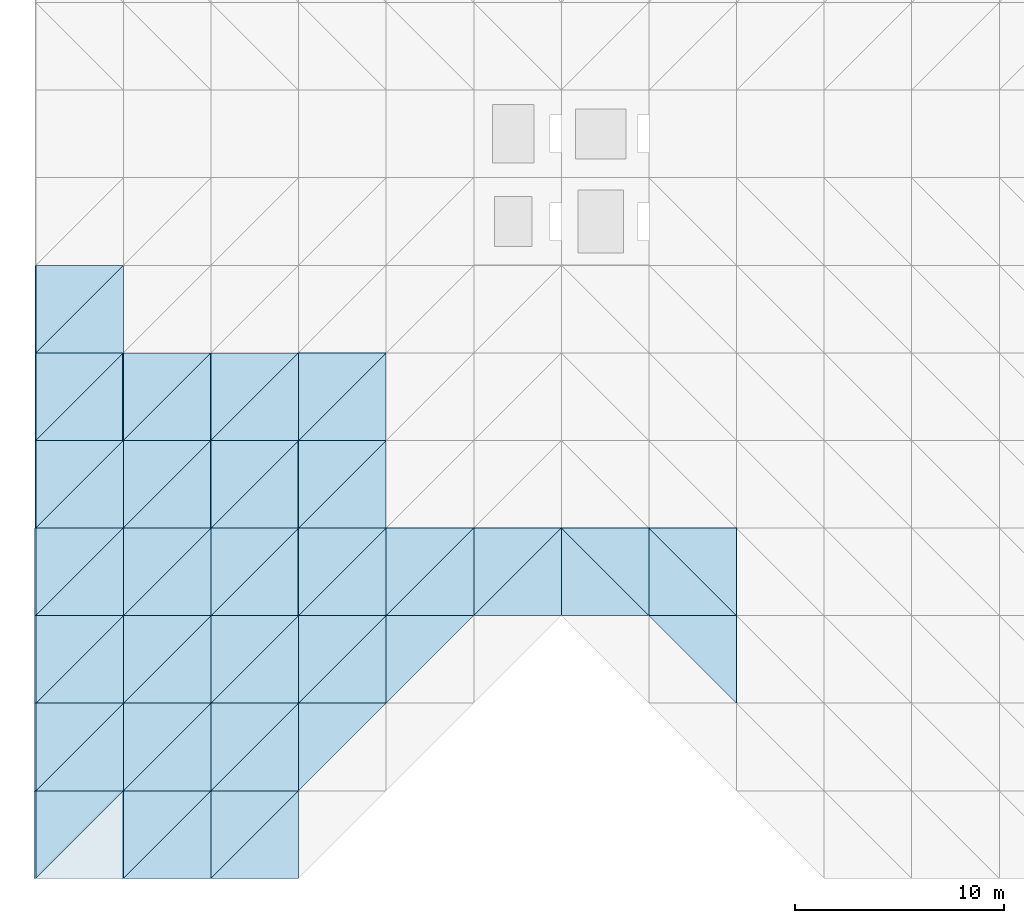
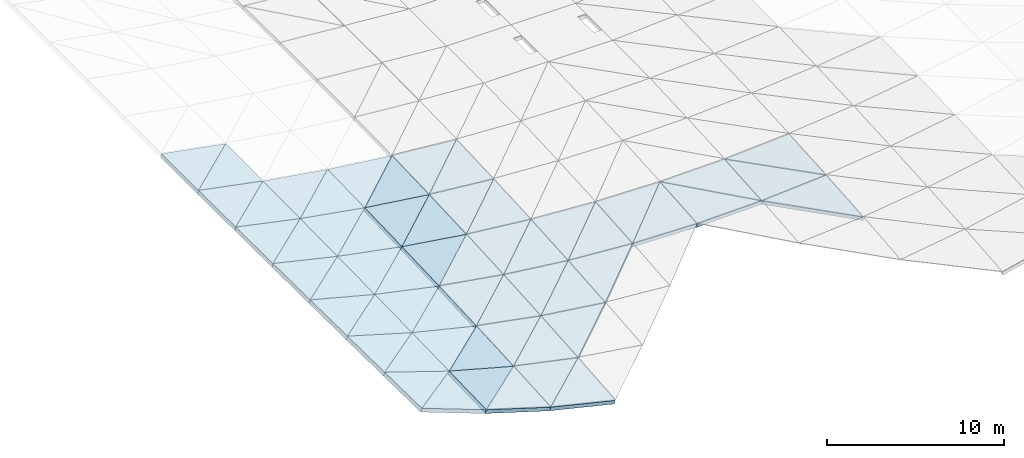
# One storey, part 5 of 31: 57 slabs.
"""IFC4 building model written with IfcOpenShell, lengths in metres."""

from ifc_helpers import new_model, si_unit, direction, frame, origin, place, context, subcontext, project, spatial, polyline, outline, extrude, material, layer, layer_set, type_object, element, save


model = new_model("IFC4")

# Units and contexts
model_context = context("Model", 3, precision=1e-05, world=origin(), true_north=direction((0.0, 1.0)))
body_context = subcontext(model_context, "Body", "Model", "MODEL_VIEW")
ifc_project = project(units=[si_unit("LENGTHUNIT", "METRE"), si_unit("AREAUNIT", "SQUARE_METRE"), si_unit("VOLUMEUNIT", "CUBIC_METRE"), si_unit("PLANEANGLEUNIT", "RADIAN"), si_unit("MASSUNIT", "GRAM", prefix="KILO")], contexts=[model_context])

# Site, building, storey
site_placement = place(None, origin())
site = spatial("IfcSite", under=ifc_project, at=site_placement, CompositionType="ELEMENT")
building_placement = place(site_placement, origin())
building = spatial("IfcBuilding", under=site, at=building_placement, Name="Cumbredor Promenade Congress Hotel", CompositionType="ELEMENT")
storey_placement = place(building_placement, frame((0.0, 0.0, 31.919921875)))
storey = spatial("IfcBuildingStorey", under=building, at=storey_placement, Name="L09", CompositionType="ELEMENT", Elevation=31.919921875)

# Slabs
ifc_material = material(Name="Concrete C40/50", Category="concrete")
ifc_layer = layer(ifc_material, 0.25, Name="Concrete C40/50", Category="concrete")
ifc_layer_set = layer_set([ifc_layer], Name="Concrete C40/50")
slab_type = type_object("IfcSlabType", Name="Catenary Space Frame Roof Deck 250mm", PredefinedType="ROOF", material=ifc_layer_set)
slab_1_placement = place(storey_placement, frame((8.39990234375, 0.0, 3.835693359375), z_axis=(0.351080162861, -0.025572178575, 0.935996144719), x_axis=(0.936302335835, 0.0, -0.351195011227)))
element("IfcSlab", 1, at=slab_1_placement, inside=storey, type_object=slab_type, Name="Plenary Congress Hall Sweeping Roof Deck Facet 4.1.1", PredefinedType="ROOF", context=body_context, shape_type="SweptSolid", body=[
    extrude(outline(polyline([(0.0, 0.0), (4.485939158482845, 0.0), (4.445640902800111, 4.201325096056481), (0.0, 0.0)])), origin(), (0.0, 0.0, -1.0), 0.25),
])
slab_2_placement = place(storey_placement, frame((8.39990234375, 0.0, 3.835693359375), z_axis=(0.314517383618, 0.015558508666, 0.949124200624), x_axis=(0.686669012327, 0.686629098992, -0.238801482257)))
element("IfcSlab", 2, at=slab_2_placement, inside=storey, type_object=slab_type, Name="Plenary Congress Hall Sweeping Roof Deck Facet 4.1.2", PredefinedType="ROOF", context=body_context, shape_type="SweptSolid", body=[
    extrude(outline(polyline([(0.0, 0.0), (6.116768395108922, 0.0), (2.9002496113164002, 3.038565786347956), (0.0, 0.0)])), origin(), (0.0, 0.0, -1.0), 0.25),
])
slab_3_placement = place(storey_placement, frame((8.39990234375, 4.199951171875, 3.766845703125), z_axis=(0.314474991938, -0.022617477915, 0.948996274565), x_axis=(0.949239097399, 0.0, -0.3145554577)))
element("IfcSlab", 3, at=slab_3_placement, inside=storey, type_object=slab_type, Name="Plenary Congress Hall Sweeping Roof Deck Facet 4.2.1", PredefinedType="ROOF", context=body_context, shape_type="SweptSolid", body=[
    extrude(outline(polyline([(0.0, 0.0), (4.424802269531883, -3.469446951953614e-18), (4.393316005455458, 4.201025827354009), (0.0, 0.0)])), origin(), (0.0, 0.0, -1.0), 0.25),
])
slab_4_placement = place(storey_placement, frame((8.39990234375, 4.199951171875, 3.766845703125), z_axis=(0.281318125125, 0.013776688355, 0.95951566706), x_axis=(0.690976351678, 0.690936187974, -0.212506154192)))
element("IfcSlab", 4, at=slab_4_placement, inside=storey, type_object=slab_type, Name="Plenary Congress Hall Sweeping Roof Deck Facet 4.2.2", PredefinedType="ROOF", context=body_context, shape_type="SweptSolid", body=[
    extrude(outline(polyline([(0.0, 0.0), (6.078638295365709, -8.326672684688674e-17), (2.9147129545431154, 3.024512300938092), (0.0, 0.0)])), origin(), (0.0, 0.0, -1.0), 0.25),
])
slab_5_placement = place(storey_placement, frame((8.39990234375, 8.39990234375, 3.70654296875), z_axis=(0.281290613489, -0.019630114185, 0.959421830782), x_axis=(0.95960673669, 0.0, -0.281344825614)))
element("IfcSlab", 5, at=slab_5_placement, inside=storey, type_object=slab_type, Name="Plenary Congress Hall Sweeping Roof Deck Facet 4.3.1", PredefinedType="ROOF", context=body_context, shape_type="SweptSolid", body=[
    extrude(outline(polyline([(0.0, 0.0), (4.3769964839859306, 0.0), (4.352818413034729, 4.201004800989675), (0.0, 0.0)])), origin(), (0.0, 0.0, -1.0), 0.25),
])
slab_6_placement = place(storey_placement, frame((8.39990234375, 8.39990234375, 3.70654296875), z_axis=(0.251982628759, 0.011924177968, 0.967658291332), x_axis=(0.694313843408, 0.694313843408, -0.189358320929)))
element("IfcSlab", 6, at=slab_6_placement, inside=storey, type_object=slab_type, Name="Plenary Congress Hall Sweeping Roof Deck Facet 4.3.2", PredefinedType="ROOF", context=body_context, shape_type="SweptSolid", body=[
    extrude(outline(polyline([(0.0, 0.0), (6.049418936955225, 1.6653345369377348e-16), (2.926054522954367, 3.013722691788356), (0.0, 0.0)])), origin(), (0.0, 0.0, -1.0), 0.25),
])
slab_7_placement = place(storey_placement, frame((8.39990234375, 12.60009765625, 3.65478515625), z_axis=(0.251966322063, -0.01648000532, 0.967595670707), x_axis=(0.96772709241, 0.0, -0.252000544873)))
element("IfcSlab", 7, at=slab_7_placement, inside=storey, type_object=slab_type, Name="Plenary Congress Hall Sweeping Roof Deck Facet 4.4.1", PredefinedType="ROOF", context=body_context, shape_type="SweptSolid", body=[
    extrude(outline(polyline([(0.0, 0.0), (4.340268393273275, 3.469446951953614e-18), (4.322241987109263, 4.2005216216518075), (0.0, 0.0)])), origin(), (0.0, 0.0, -1.0), 0.25),
])
slab_8_placement = place(storey_placement, frame((8.39990234375, 12.60009765625, 3.65478515625), z_axis=(0.226989154907, 0.010019804461, 0.973845740902), x_axis=(0.696882813328, 0.696842306306, -0.169602902779)))
element("IfcSlab", 8, at=slab_8_placement, inside=storey, type_object=slab_type, Name="Plenary Congress Hall Sweeping Roof Deck Facet 4.4.2", PredefinedType="ROOF", context=body_context, shape_type="SweptSolid", body=[
    extrude(outline(polyline([(0.0, 0.0), (6.027118522900852, -3.0531133177191805e-16), (2.934032692667439, 3.005479888205711), (0.0, 0.0)])), origin(), (0.0, 0.0, -1.0), 0.25),
])
slab_9_placement = place(storey_placement, frame((8.39990234375, 16.800048828125, 3.611572265625), z_axis=(0.226980464355, -0.01330262089, 0.973808456052), x_axis=(0.973894629926, 0.0, -0.227000550221)))
element("IfcSlab", 9, at=slab_9_placement, inside=storey, type_object=slab_type, Name="Plenary Congress Hall Sweeping Roof Deck Facet 4.5.1", PredefinedType="ROOF", context=body_context, shape_type="SweptSolid", body=[
    extrude(outline(polyline([(0.0, 0.0), (4.312782084872795, 0.0), (4.299758371664307, 4.200322832299461), (0.0, 0.0)])), origin(), (0.0, 0.0, -1.0), 0.25),
])
slab_10_placement = place(storey_placement, frame((8.39990234375, 16.800048828125, 3.611572265625), z_axis=(0.206717544951, 0.007962073888, 0.978368265015), x_axis=(0.698765886968, 0.69872527049, -0.153327204331)))
element("IfcSlab", 10, at=slab_10_placement, inside=storey, type_object=slab_type, Name="Plenary Congress Hall Sweeping Roof Deck Facet 4.5.2", PredefinedType="ROOF", context=body_context, shape_type="SweptSolid", body=[
    extrude(outline(polyline([(0.0, 0.0), (6.01087630468582, -4.718447854656915e-16), (2.9398526945434496, 2.9996706871850787), (0.0, 0.0)])), origin(), (0.0, 0.0, -1.0), 0.25),
])
slab_11_placement = place(storey_placement, frame((8.39990234375, 21.0, 3.577392578125), z_axis=(0.206713741995, -0.010009280174, 0.978350266102), x_axis=(0.978399278132, 0.0, -0.206724097652)))
element("IfcSlab", 11, at=slab_11_placement, inside=storey, type_object=slab_type, Name="Plenary Congress Hall Sweeping Roof Deck Facet 4.6.1", PredefinedType="ROOF", context=body_context, shape_type="SweptSolid", body=[
    extrude(outline(polyline([(0.0, 0.0), (4.292925604481084, 0.0), (4.284042928410085, 4.2001615751869075), (0.0, 0.0)])), origin(), (0.0, 0.0, -1.0), 0.25),
])
slab_12_placement = place(storey_placement, frame((8.39990234375, 21.0, 3.577392578125), z_axis=(0.191293718543, 0.006047811769, 0.981514206326), x_axis=(0.700087189504, 0.700046496224, -0.140758055597)))
element("IfcSlab", 12, at=slab_12_placement, inside=storey, type_object=slab_type, Name="Plenary Congress Hall Sweeping Roof Deck Facet 4.6.2", PredefinedType="ROOF", context=body_context, shape_type="SweptSolid", body=[
    extrude(outline(polyline([(0.0, 0.0), (5.999531737572276, 1.5265566588595902e-16), (2.9438037667097, 2.9957100906176923), (0.0, 0.0)])), origin(), (0.0, 0.0, -1.0), 0.25),
])
slab_13_placement = place(storey_placement, frame((8.39990234375, 25.199951171875, 3.551513671875), z_axis=(0.191292954794, -0.006675388226, 0.981510287587), x_axis=(0.981532156763, 0.0, -0.191297217021)))
element("IfcSlab", 13, at=slab_13_placement, inside=storey, type_object=slab_type, Name="Plenary Congress Hall Sweeping Roof Deck Facet 4.7.1", PredefinedType="ROOF", context=body_context, shape_type="SweptSolid", body=[
    extrude(outline(polyline([(0.0, 0.0), (4.279223338287052, 8.673617379884035e-19), (4.273759037898517, 4.200044751611318), (0.0, 0.0)])), origin(), (0.0, 0.0, -1.0), 0.25),
])
slab_14_placement = place(storey_placement, frame((8.39990234375, 25.199951171875, 3.551513671875), z_axis=(0.180931042037, 0.004059036563, 0.983487408282), x_axis=(0.700954209606, 0.700913465929, -0.131846536985)))
element("IfcSlab", 14, at=slab_14_placement, inside=storey, type_object=slab_type, Name="Plenary Congress Hall Sweeping Roof Deck Facet 4.7.2", PredefinedType="ROOF", context=body_context, shape_type="SweptSolid", body=[
    extrude(outline(polyline([(0.0, 0.0), (5.992110832549499, -2.636779683484747e-16), (2.946087758424882, 2.9934022838248047), (0.0, 0.0)])), origin(), (0.0, 0.0, -1.0), 0.25),
])
slab_15_placement = place(storey_placement, frame((12.60009765625, 0.0, 2.26025390625), z_axis=(0.292832493061, -0.060130786603, 0.954271145697), x_axis=(0.956001022742, 0.0, -0.293363331922)))
element("IfcSlab", 15, at=slab_15_placement, inside=storey, type_object=slab_type, Name="Plenary Congress Hall Sweeping Roof Deck Facet 5.1.1", PredefinedType="ROOF", context=body_context, shape_type="SweptSolid", body=[
    extrude(outline(polyline([(0.0, 0.0), (4.393249663927177, 0.0), (4.315611516514219, 4.20756473030085), (0.0, 0.0)])), origin(), (0.0, 0.0, -1.0), 0.25),
])
slab_16_placement = place(storey_placement, frame((12.60009765625, 0.0, 2.26025390625), z_axis=(0.261630515528, -0.026359344544, 0.964808094027), x_axis=(0.696823641753, 0.696823641753, -0.169922407554)))
element("IfcSlab", 16, at=slab_16_placement, inside=storey, type_object=slab_type, Name="Plenary Congress Hall Sweeping Roof Deck Facet 5.1.2", PredefinedType="ROOF", context=body_context, shape_type="SweptSolid", body=[
    extrude(outline(polyline([(0.0, 0.0), (6.027279960408494, 1.3877787807814457e-16), (2.9071273382620912, 3.0333755374655214), (0.0, 0.0)])), origin(), (0.0, 0.0, -1.0), 0.25),
])
slab_17_placement = place(storey_placement, frame((12.60009765625, 4.199951171875, 2.375), z_axis=(0.261351290641, -0.053166639832, 0.963778403623), x_axis=(0.965143450384, 0.0, -0.26172145533)))
element("IfcSlab", 17, at=slab_17_placement, inside=storey, type_object=slab_type, Name="Plenary Congress Hall Sweeping Roof Deck Facet 5.2.1", PredefinedType="ROOF", context=body_context, shape_type="SweptSolid", body=[
    extrude(outline(polyline([(0.0, 0.0), (4.351634122577553, 0.0), (4.29099602172105, 4.205899769317864), (0.0, 0.0)])), origin(), (0.0, 0.0, -1.0), 0.25),
])
slab_18_placement = place(storey_placement, frame((12.60009765625, 4.199951171875, 2.375), z_axis=(0.233164962007, -0.023169567238, 0.97216113461), x_axis=(0.698999988366, 0.698999988366, -0.150990173619)))
element("IfcSlab", 18, at=slab_18_placement, inside=storey, type_object=slab_type, Name="Plenary Congress Hall Sweeping Roof Deck Facet 5.2.2", PredefinedType="ROOF", context=body_context, shape_type="SweptSolid", body=[
    extrude(outline(polyline([(0.0, 0.0), (6.00851393673793, -5.828670879282072e-16), (2.9206520577811226, 3.019834588897183), (0.0, 0.0)])), origin(), (0.0, 0.0, -1.0), 0.25),
])
slab_19_placement = place(storey_placement, frame((12.60009765625, 8.39990234375, 2.47509765625), z_axis=(0.232981708207, -0.045904779177, 0.97139707375), x_axis=(0.972422181788, 0.0, -0.233227572055)))
element("IfcSlab", 19, at=slab_19_placement, inside=storey, type_object=slab_type, Name="Plenary Congress Hall Sweeping Roof Deck Facet 5.3.1", PredefinedType="ROOF", context=body_context, shape_type="SweptSolid", body=[
    extrude(outline(polyline([(0.0, 0.0), (4.319061463769008, -6.938893903907228e-18), (4.272768979374355, 4.204627747076795), (0.0, 0.0)])), origin(), (0.0, 0.0, -1.0), 0.25),
])
slab_20_placement = place(storey_placement, frame((12.60009765625, 8.39990234375, 2.47509765625), z_axis=(0.208326312603, -0.020007257737, 0.977854721886), x_axis=(0.700620276714, 0.700661003348, -0.134927336904)))
element("IfcSlab", 20, at=slab_20_placement, inside=storey, type_object=slab_type, Name="Plenary Congress Hall Sweeping Roof Deck Facet 5.3.2", PredefinedType="ROOF", context=body_context, shape_type="SweptSolid", body=[
    extrude(outline(polyline([(0.0, 0.0), (5.994618356708946, -2.498001805406602e-16), (2.9313177438986315, 3.009385685045747), (0.0, 0.0)])), origin(), (0.0, 0.0, -1.0), 0.25),
])
slab_21_placement = place(storey_placement, frame((12.60009765625, 12.60009765625, 2.56103515625), z_axis=(0.208213846908, -0.038461329974, 0.977326823561), x_axis=(0.978050493573, 0.0, -0.208368020633)))
element("IfcSlab", 21, at=slab_21_placement, inside=storey, type_object=slab_type, Name="Plenary Congress Hall Sweeping Roof Deck Facet 5.4.1", PredefinedType="ROOF", context=body_context, shape_type="SweptSolid", body=[
    extrude(outline(polyline([(0.0, 0.0), (4.294206893688555, 0.0), (4.259767159809573, 4.203061061666817), (0.0, 0.0)])), origin(), (0.0, 0.0, -1.0), 0.25),
])
slab_22_placement = place(storey_placement, frame((12.60009765625, 12.60009765625, 2.56103515625), z_axis=(0.187319412076, -0.016728006016, 0.9821566126), x_axis=(0.701833290061, 0.701833290061, -0.121901870063)))
element("IfcSlab", 22, at=slab_22_placement, inside=storey, type_object=slab_type, Name="Plenary Congress Hall Sweeping Roof Deck Facet 5.4.2", PredefinedType="ROOF", context=body_context, shape_type="SweptSolid", body=[
    extrude(outline(polyline([(0.0, 0.0), (5.984257559956114, 6.938893903907228e-17), (2.9389455178190267, 3.001217434404738), (0.0, 0.0)])), origin(), (0.0, 0.0, -1.0), 0.25),
])
slab_23_placement = place(storey_placement, frame((12.60009765625, 16.800048828125, 2.632568359375), z_axis=(0.187255970925, -0.030933476453, 0.981823976784), x_axis=(0.982294058016, 0.0, -0.187345626016)))
element("IfcSlab", 23, at=slab_23_placement, inside=storey, type_object=slab_type, Name="Plenary Congress Hall Sweeping Roof Deck Facet 5.5.1", PredefinedType="ROOF", context=body_context, shape_type="SweptSolid", body=[
    extrude(outline(polyline([(0.0, 0.0), (4.275655683349646, 0.0), (4.25086531975088, 4.201962039675588), (0.0, 0.0)])), origin(), (0.0, 0.0, -1.0), 0.25),
])
slab_24_placement = place(storey_placement, frame((12.60009765625, 16.800048828125, 2.632568359375), z_axis=(0.170334559751, -0.013459523047, 0.985294361597), x_axis=(0.702667670249, 0.702667670249, -0.111876227915)))
element("IfcSlab", 24, at=slab_24_placement, inside=storey, type_object=slab_type, Name="Plenary Congress Hall Sweeping Roof Deck Facet 5.5.2", PredefinedType="ROOF", context=body_context, shape_type="SweptSolid", body=[
    extrude(outline(polyline([(0.0, 0.0), (5.977151574917217, 1.5265566588595902e-16), (2.944751225034578, 2.9952164755321546), (0.0, 0.0)])), origin(), (0.0, 0.0, -1.0), 0.25),
])
slab_25_placement = place(storey_placement, frame((12.60009765625, 21.0, 2.68994140625), z_axis=(0.170303944809, -0.023249294416, 0.985117270528), x_axis=(0.985383621077, 0.0, -0.170349990646)))
element("IfcSlab", 25, at=slab_25_placement, inside=storey, type_object=slab_type, Name="Plenary Congress Hall Sweeping Roof Deck Facet 5.6.1", PredefinedType="ROOF", context=body_context, shape_type="SweptSolid", body=[
    extrude(outline(polyline([(0.0, 0.0), (4.262249830461327, 0.0), (4.245364553068193, 4.20108673140269), (0.0, 0.0)])), origin(), (0.0, 0.0, -1.0), 0.25),
])
slab_26_placement = place(storey_placement, frame((12.60009765625, 21.0, 2.68994140625), z_axis=(0.157507811441, -0.010102541842, 0.987466064219), x_axis=(0.7032002078, 0.7032002078, -0.104971117458)))
element("IfcSlab", 26, at=slab_26_placement, inside=storey, type_object=slab_type, Name="Plenary Congress Hall Sweeping Roof Deck Facet 5.6.2", PredefinedType="ROOF", context=body_context, shape_type="SweptSolid", body=[
    extrude(outline(polyline([(0.0, 0.0), (5.972625043748824, -2.7755575615628914e-16), (2.948896059108618, 2.990894212803992), (0.0, 0.0)])), origin(), (0.0, 0.0, -1.0), 0.25),
])
slab_27_placement = place(storey_placement, frame((16.800048828125, 0.0, 0.971435546875), z_axis=(0.231257969912, -0.087974902339, 0.968906686895), x_axis=(0.972678059786, 0.0, -0.232158118554)))
element("IfcSlab", 27, at=slab_27_placement, inside=storey, type_object=slab_type, Name="Plenary Congress Hall Sweeping Roof Deck Facet 6.1.1", PredefinedType="ROOF", context=body_context, shape_type="SweptSolid", body=[
    extrude(outline(polyline([(0.0, 0.0), (4.317925267891822, 0.0), (4.229392313501893, 4.2162990639954065), (0.0, 0.0)])), origin(), (0.0, 0.0, -1.0), 0.25),
])
slab_28_placement = place(storey_placement, frame((16.800048828125, 0.0, 0.971435546875), z_axis=(0.205963343256, -0.061539212814, 0.976622765719), x_axis=(0.703272296544, 0.703272296544, -0.104000739546)))
element("IfcSlab", 28, at=slab_28_placement, inside=storey, type_object=slab_type, Name="Plenary Congress Hall Sweeping Roof Deck Facet 6.1.2", PredefinedType="ROOF", context=body_context, shape_type="SweptSolid", body=[
    extrude(outline(polyline([(0.0, 0.0), (5.972012821365794, -5.551115123125783e-17), (2.9261856727995275, 3.0244116865777637), (0.0, 0.0)])), origin(), (0.0, 0.0, -1.0), 0.25),
])
slab_29_placement = place(storey_placement, frame((16.800048828125, 4.199951171875, 1.236083984375), z_axis=(0.205733512795, -0.077518663724, 0.975532971502), x_axis=(0.978477306539, 0.0, -0.206354453765)))
element("IfcSlab", 29, at=slab_29_placement, inside=storey, type_object=slab_type, Name="Plenary Congress Hall Sweeping Roof Deck Facet 6.2.1", PredefinedType="ROOF", context=body_context, shape_type="SweptSolid", body=[
    extrude(outline(polyline([(0.0, 0.0), (4.292333755528742, -2.7755575615628914e-17), (4.223464971764824, 4.212627384518805), (0.0, 0.0)])), origin(), (0.0, 0.0, -1.0), 0.25),
])
slab_30_placement = place(storey_placement, frame((16.800048828125, 4.199951171875, 1.236083984375), z_axis=(0.183160259499, -0.054149248058, 0.981590636811), x_axis=(0.704072781143, 0.704072781143, -0.09253668303)))
element("IfcSlab", 30, at=slab_30_placement, inside=storey, type_object=slab_type, Name="Plenary Congress Hall Sweeping Roof Deck Facet 6.2.2", PredefinedType="ROOF", context=body_context, shape_type="SweptSolid", body=[
    extrude(outline(polyline([(0.0, 0.0), (5.965223034264703, 1.5265566588595902e-16), (2.935631528762995, 3.0125300622825644), (0.0, 0.0)])), origin(), (0.0, 0.0, -1.0), 0.25),
])
slab_31_placement = place(storey_placement, frame((16.800048828125, 8.39990234375, 1.4677734375), z_axis=(0.183020140565, -0.066761410353, 0.980839712815), x_axis=(0.983032890363, 0.0, -0.183429377322)))
element("IfcSlab", 31, at=slab_31_placement, inside=storey, type_object=slab_type, Name="Plenary Congress Hall Sweeping Roof Deck Facet 6.3.1", PredefinedType="ROOF", context=body_context, shape_type="SweptSolid", body=[
    extrude(outline(polyline([(0.0, 0.0), (4.272442166532426, 0.0), (4.220001785467068, 4.2095870346492585), (0.0, 0.0)])), origin(), (0.0, 0.0, -1.0), 0.25),
])
slab_32_placement = place(storey_placement, frame((16.800048828125, 8.39990234375, 1.4677734375), z_axis=(0.163375229639, -0.046569544587, 0.98546426209), x_axis=(0.704616026004, 0.704656984908, -0.083515205314)))
element("IfcSlab", 32, at=slab_32_placement, inside=storey, type_object=slab_type, Name="Plenary Congress Hall Sweeping Roof Deck Facet 6.3.2", PredefinedType="ROOF", context=body_context, shape_type="SweptSolid", body=[
    extrude(outline(polyline([(0.0, 0.0), (5.960623966635741, 2.636779683484747e-16), (2.9431203384855893, 3.0031783428214838), (0.0, 0.0)])), origin(), (0.0, 0.0, -1.0), 0.25),
])
slab_33_placement = place(storey_placement, frame((16.800048828125, 12.60009765625, 1.666259765625), z_axis=(0.163296574625, -0.055939955613, 0.984989822324), x_axis=(0.98653460261, 0.0, -0.163552676082)))
element("IfcSlab", 33, at=slab_33_placement, inside=storey, type_object=slab_type, Name="Plenary Congress Hall Sweeping Roof Deck Facet 6.4.1", PredefinedType="ROOF", context=body_context, shape_type="SweptSolid", body=[
    extrude(outline(polyline([(0.0, 0.0), (4.257277099824642, 6.938893903907228e-18), (4.218265633874359, 4.206538043763708), (0.0, 0.0)])), origin(), (0.0, 0.0, -1.0), 0.25),
])
slab_34_placement = place(storey_placement, frame((16.800048828125, 12.60009765625, 1.666259765625), z_axis=(0.146629321046, -0.038898138851, 0.988426414562), x_axis=(0.705016090711, 0.705016090711, -0.076841549153)))
element("IfcSlab", 34, at=slab_34_placement, inside=storey, type_object=slab_type, Name="Plenary Congress Hall Sweeping Roof Deck Facet 6.4.2", PredefinedType="ROOF", context=body_context, shape_type="SweptSolid", body=[
    extrude(outline(polyline([(0.0, 0.0), (5.957241582440388, 9.71445146547012e-17), (2.948332538996572, 2.995704194820222), (0.0, 0.0)])), origin(), (0.0, 0.0, -1.0), 0.25),
])
slab_35_placement = place(storey_placement, frame((16.800048828125, 16.800048828125, 1.83154296875), z_axis=(0.146592635163, -0.044862401278, 0.988179115478), x_axis=(0.989175041018, 0.0, -0.14674037695)))
element("IfcSlab", 35, at=slab_35_placement, inside=storey, type_object=slab_type, Name="Plenary Congress Hall Sweeping Roof Deck Facet 6.5.1", PredefinedType="ROOF", context=body_context, shape_type="SweptSolid", body=[
    extrude(outline(polyline([(0.0, 0.0), (4.245913006007242, 0.0), (4.217933456593609, 4.204184046837226), (0.0, 0.0)])), origin(), (0.0, 0.0, -1.0), 0.25),
])
slab_36_placement = place(storey_placement, frame((16.800048828125, 16.800048828125, 1.83154296875), z_axis=(0.133189309052, -0.031209946176, 0.990599085006), x_axis=(0.705240694053, 0.705240694053, -0.072602526836)))
element("IfcSlab", 36, at=slab_36_placement, inside=storey, type_object=slab_type, Name="Plenary Congress Hall Sweeping Roof Deck Facet 6.5.2", PredefinedType="ROOF", context=body_context, shape_type="SweptSolid", body=[
    extrude(outline(polyline([(0.0, 0.0), (5.95534433462351, 1.249000902703301e-16), (2.952369406799285, 2.990086023979515), (0.0, 0.0)])), origin(), (0.0, 0.0, -1.0), 0.25),
])
slab_37_placement = place(storey_placement, frame((16.800048828125, 21.0, 1.9638671875), z_axis=(0.133178350958, -0.033740818704, 0.990517583887), x_axis=(0.991081889584, 0.0, -0.133254223717)))
element("IfcSlab", 37, at=slab_37_placement, inside=storey, type_object=slab_type, Name="Plenary Congress Hall Sweeping Roof Deck Facet 6.6.1", PredefinedType="ROOF", context=body_context, shape_type="SweptSolid", body=[
    extrude(outline(polyline([(0.0, 0.0), (4.23774383934878, -3.469446951953614e-18), (4.218679636443919, 4.202343917256069), (0.0, 0.0)])), origin(), (0.0, 0.0, -1.0), 0.25),
])
slab_38_placement = place(storey_placement, frame((16.800048828125, 21.0, 1.9638671875), z_axis=(0.123014035395, -0.023414767168, 0.992128668961), x_axis=(0.705331922538, 0.705331922538, -0.070807895729)))
element("IfcSlab", 38, at=slab_38_placement, inside=storey, type_object=slab_type, Name="Plenary Congress Hall Sweeping Roof Deck Facet 6.6.2", PredefinedType="ROOF", context=body_context, shape_type="SweptSolid", body=[
    extrude(outline(polyline([(0.0, 0.0), (5.954574063175776, -1.0408340855860843e-16), (2.955341078553767, 2.9858623455834405), (0.0, 0.0)])), origin(), (0.0, 0.0, -1.0), 0.25),
])
slab_39_placement = place(storey_placement, frame((21.0, 4.199951171875, 0.350341796875), z_axis=(0.131714249465, -0.078523061063, 0.988172801371), x_axis=(0.706595138181, 0.706595138181, -0.038034476426)))
element("IfcSlab", 39, at=slab_39_placement, inside=storey, type_object=slab_type, Name="Plenary Congress Hall Sweeping Roof Deck Facet 7.2.2", PredefinedType="ROOF", context=body_context, shape_type="SweptSolid", body=[
    extrude(outline(polyline([(0.0, 0.0), (5.943928771835325, -2.2898349882893854e-16), (2.954971443569147, 3.0031843363113326), (0.0, 0.0)])), origin(), (0.0, 0.0, -1.0), 0.25),
])
slab_40_placement = place(storey_placement, frame((21.0, 8.39990234375, 0.68408203125), z_axis=(0.131677267955, -0.081999218886, 0.987895351343), x_axis=(0.99123343534, 0.0, -0.132122203525)))
element("IfcSlab", 40, at=slab_40_placement, inside=storey, type_object=slab_type, Name="Plenary Congress Hall Sweeping Roof Deck Facet 7.3.1", PredefinedType="ROOF", context=body_context, shape_type="SweptSolid", body=[
    extrude(outline(polyline([(0.0, 0.0), (4.237095947469426, 0.0), (4.191033812060931, 4.214387711255367), (0.0, 0.0)])), origin(), (0.0, 0.0, -1.0), 0.25),
])
slab_41_placement = place(storey_placement, frame((21.0, 8.39990234375, 0.68408203125), z_axis=(0.117263600303, -0.067439928458, 0.99080830845), x_axis=(0.706639752235, 0.706680828777, -0.03553120884)))
element("IfcSlab", 41, at=slab_41_placement, inside=storey, type_object=slab_type, Name="Plenary Congress Hall Sweeping Roof Deck Facet 7.3.2", PredefinedType="ROOF", context=body_context, shape_type="SweptSolid", body=[
    extrude(outline(polyline([(0.0, 0.0), (5.943553498927912, 1.1796119636642288e-16), (2.9580395343552617, 2.9955592314365496), (0.0, 0.0)])), origin(), (0.0, 0.0, -1.0), 0.25),
])
slab_42_placement = place(storey_placement, frame((21.0, 12.60009765625, 0.969970703125), z_axis=(0.117254845515, -0.068533038391, 0.990734335658), x_axis=(0.993069192908, 0.0, -0.117531179257)))
element("IfcSlab", 42, at=slab_42_placement, inside=storey, type_object=slab_type, Name="Plenary Congress Hall Sweeping Roof Deck Facet 7.4.1", PredefinedType="ROOF", context=body_context, shape_type="SweptSolid", body=[
    extrude(outline(polyline([(0.0, 0.0), (4.229263380507655, 0.0), (4.19511735919028, 4.209849169843121), (0.0, 0.0)])), origin(), (0.0, 0.0, -1.0), 0.25),
])
slab_43_placement = place(storey_placement, frame((21.0, 12.60009765625, 0.969970703125), z_axis=(0.105212196304, -0.056386349857, 0.992849924862), x_axis=(0.706679647611, 0.706679647611, -0.034752716496)))
element("IfcSlab", 43, at=slab_43_placement, inside=storey, type_object=slab_type, Name="Plenary Congress Hall Sweeping Roof Deck Facet 7.4.2", PredefinedType="ROOF", context=body_context, shape_type="SweptSolid", body=[
    extrude(outline(polyline([(0.0, 0.0), (5.94321795748805, 9.71445146547012e-17), (2.9597306088479614, 2.989394408765005), (0.0, 0.0)])), origin(), (0.0, 0.0, -1.0), 0.25),
])
slab_44_placement = place(storey_placement, frame((21.0, 16.800048828125, 1.20849609375), z_axis=(0.105220647526, -0.054947919059, 0.992929676022), x_axis=(0.994432042203, 0.0, -0.105379853103)))
element("IfcSlab", 44, at=slab_44_placement, inside=storey, type_object=slab_type, Name="Plenary Congress Hall Sweeping Roof Deck Facet 7.5.1", PredefinedType="ROOF", context=body_context, shape_type="SweptSolid", body=[
    extrude(outline(polyline([(0.0, 0.0), (4.223467259332188, 3.469446951953614e-18), (4.198974676286696, 4.2063059669368394), (0.0, 0.0)])), origin(), (0.0, 0.0, -1.0), 0.25),
])
slab_45_placement = place(storey_placement, frame((21.0, 16.800048828125, 1.20849609375), z_axis=(0.095492562031, -0.045145091372, 0.994405898676), x_axis=(0.706654054912, 0.706654054912, -0.035778392247)))
element("IfcSlab", 45, at=slab_45_placement, inside=storey, type_object=slab_type, Name="Plenary Congress Hall Sweeping Roof Deck Facet 7.5.2", PredefinedType="ROOF", context=body_context, shape_type="SweptSolid", body=[
    extrude(outline(polyline([(0.0, 0.0), (5.9434332014068625, 7.632783294297951e-17), (2.96109052302552, 2.984608729685432), (0.0, 0.0)])), origin(), (0.0, 0.0, -1.0), 0.25),
])
slab_46_placement = place(storey_placement, frame((21.0, 21.0, 1.399169921875), z_axis=(0.095508545961, -0.041279117322, 0.994572346349), x_axis=(0.995420789287, 0.0, -0.095590021735)))
element("IfcSlab", 46, at=slab_46_placement, inside=storey, type_object=slab_type, Name="Plenary Congress Hall Sweeping Roof Deck Facet 7.6.1", PredefinedType="ROOF", context=body_context, shape_type="SweptSolid", body=[
    extrude(outline(polyline([(0.0, 0.0), (4.219272107912606, 0.0), (4.202609198850453, 4.2035340373409245), (0.0, 0.0)])), origin(), (0.0, 0.0, -1.0), 0.25),
])
slab_47_placement = place(storey_placement, frame((21.0, 21.0, 1.399169921875), z_axis=(0.088192852342, -0.033911424851, 0.995526009736), x_axis=(0.706581806393, 0.706581806393, -0.038526636889)))
element("IfcSlab", 47, at=slab_47_placement, inside=storey, type_object=slab_type, Name="Plenary Congress Hall Sweeping Roof Deck Facet 7.6.2", PredefinedType="ROOF", context=body_context, shape_type="SweptSolid", body=[
    extrude(outline(polyline([(0.0, 0.0), (5.944040921910458, 2.983724378680108e-16), (2.9620972182995713, 2.9809458083087352), (0.0, 0.0)])), origin(), (0.0, 0.0, -1.0), 0.25),
])
slab_48_placement = place(storey_placement, frame((25.199951171875, 8.39990234375, 0.124267578125), z_axis=(0.070613965347, -0.082512996136, 0.994085143922), x_axis=(0.707060884783, 0.707101985805, 0.008466810572)))
element("IfcSlab", 48, at=slab_48_placement, inside=storey, type_object=slab_type, Name="Plenary Congress Hall Sweeping Roof Deck Facet 8.3.2", PredefinedType="ROOF", context=body_context, shape_type="SweptSolid", body=[
    extrude(outline(polyline([(0.0, 0.0), (5.940013458906204, -8.300651832549022e-16), (2.9729182542194152, 2.9874642349035105), (0.0, 0.0)])), origin(), (0.0, 0.0, -1.0), 0.25),
])
slab_49_placement = place(storey_placement, frame((25.199951171875, 12.60009765625, 0.472900390625), z_axis=(0.070649576012, -0.076199788203, 0.994586461645), x_axis=(0.997486584501, 0.0, -0.070855583692)))
element("IfcSlab", 49, at=slab_49_placement, inside=storey, type_object=slab_type, Name="Plenary Congress Hall Sweeping Roof Deck Facet 8.4.1", PredefinedType="ROOF", context=body_context, shape_type="SweptSolid", body=[
    extrude(outline(polyline([(0.0, 0.0), (4.210533993272463, 3.469446951953614e-18), (4.187734271762068, 4.212197844093276), (0.0, 0.0)])), origin(), (0.0, 0.0, -1.0), 0.25),
])
slab_50_placement = place(storey_placement, frame((25.199951171875, 12.60009765625, 0.472900390625), z_axis=(0.063314665209, -0.068870613893, 0.99561442924), x_axis=(0.707101276228, 0.707101276228, 0.003945923532)))
element("IfcSlab", 50, at=slab_50_placement, inside=storey, type_object=slab_type, Name="Plenary Congress Hall Sweeping Roof Deck Facet 8.4.2", PredefinedType="ROOF", context=body_context, shape_type="SweptSolid", body=[
    extrude(outline(polyline([(0.0, 0.0), (5.939674150041786, 4.124305064134859e-16), (2.9709372324118455, 2.9828724318464683), (0.0, 0.0)])), origin(), (0.0, 0.0, -1.0), 0.25),
])
slab_51_placement = place(storey_placement, frame((29.39990234375, 12.60009765625, 0.174560546875), z_axis=(0.023577043061, -0.078845751554, 0.996607982359), x_axis=(0.999720283744, 0.0, -0.023650671674)))
element("IfcSlab", 51, at=slab_51_placement, inside=storey, type_object=slab_type, Name="Plenary Congress Hall Sweeping Roof Deck Facet 9.4.1", PredefinedType="ROOF", context=body_context, shape_type="SweptSolid", body=[
    extrude(outline(polyline([(0.0, 0.0), (4.20137050412712, 0.0), (4.193511967958014, 4.213067175438632), (0.0, 0.0)])), origin(), (0.0, 0.0, -1.0), 0.25),
])
slab_52_placement = place(storey_placement, frame((29.39990234375, 12.60009765625, 0.174560546875), z_axis=(0.021091353431, -0.076373680568, 0.996856166017), x_axis=(0.706584331555, 0.706543260622, 0.039181670094)))
element("IfcSlab", 52, at=slab_52_placement, inside=storey, type_object=slab_type, Name="Plenary Congress Hall Sweeping Roof Deck Facet 9.4.2", PredefinedType="ROOF", context=body_context, shape_type="SweptSolid", body=[
    extrude(outline(polyline([(0.0, 0.0), (5.944365201614514, -1.1796119636642288e-16), (2.980054969155221, 2.976978818516898), (0.0, 0.0)])), origin(), (0.0, 0.0, -1.0), 0.25),
])
slab_53_placement = place(storey_placement, frame((33.60009765625, 12.60009765625, 0.0751953125), z_axis=(-0.023578412818, -0.078845749007, 0.996607950155), x_axis=(0.999720251237, 0.0, 0.023652045704)))
element("IfcSlab", 53, at=slab_53_placement, inside=storey, type_object=slab_type, Name="Plenary Congress Hall Sweeping Roof Deck Facet 10.4.1", PredefinedType="ROOF", context=body_context, shape_type="SweptSolid", body=[
    extrude(outline(polyline([(0.0, 0.0), (4.201126431796189, 0.0), (0.007858992725525179, 4.213067174587004), (0.0, 0.0)])), origin(), (0.0, 0.0, -1.0), 0.25),
])
slab_54_placement = place(storey_placement, frame((37.800048828125, 12.60009765625, 0.174560546875), z_axis=(-0.021092578913, -0.076373678593, 0.996856140239), x_axis=(0.0, 0.997077963354, 0.07639067347)))
element("IfcSlab", 54, at=slab_54_placement, inside=storey, type_object=slab_type, Name="Plenary Congress Hall Sweeping Roof Deck Facet 10.4.2", PredefinedType="ROOF", context=body_context, shape_type="SweptSolid", body=[
    extrude(outline(polyline([(0.0, 0.0), (4.212259548637167, 0.0), (4.205470924334675, 4.2008857563290665), (0.0, 0.0)])), origin(), (0.0, 0.0, -1.0), 0.25),
])
slab_55_placement = place(storey_placement, frame((42.0, 8.39990234375, 0.124267578125), z_axis=(-0.070613965347, -0.082512996136, 0.994085143922), x_axis=(0.0, 0.996572870604, 0.082719487283)))
element("IfcSlab", 55, at=slab_55_placement, inside=storey, type_object=slab_type, Name="Plenary Congress Hall Sweeping Roof Deck Facet 11.3.2", PredefinedType="ROOF", context=body_context, shape_type="SweptSolid", body=[
    extrude(outline(polyline([(0.0, 0.0), (4.214639427175074, 0.0), (4.189960908263887, 4.210461670554348), (0.0, 0.0)])), origin(), (0.0, 0.0, -1.0), 0.25),
])
slab_56_placement = place(storey_placement, frame((37.800048828125, 12.60009765625, 0.174560546875), z_axis=(-0.070649576012, -0.076199788203, 0.994586461645), x_axis=(0.997486584501, 0.0, 0.070855583692)))
element("IfcSlab", 56, at=slab_56_placement, inside=storey, type_object=slab_type, Name="Plenary Congress Hall Sweeping Roof Deck Facet 11.4.1", PredefinedType="ROOF", context=body_context, shape_type="SweptSolid", body=[
    extrude(outline(polyline([(0.0, 0.0), (4.210533993272463, -3.469446951953614e-18), (0.022799721510395356, 4.212197844093275), (0.0, 0.0)])), origin(), (0.0, 0.0, -1.0), 0.25),
])
slab_57_placement = place(storey_placement, frame((42.0, 12.60009765625, 0.472900390625), z_axis=(-0.063314665209, -0.068870613893, 0.99561442924), x_axis=(0.0, 0.997616032288, 0.069009072744)))
element("IfcSlab", 57, at=slab_57_placement, inside=storey, type_object=slab_type, Name="Plenary Congress Hall Sweeping Roof Deck Facet 11.4.2", PredefinedType="ROOF", context=body_context, shape_type="SweptSolid", body=[
    extrude(outline(polyline([(0.0, 0.0), (4.209987646490263, 0.0), (4.191556024033607, 4.2083948372345255), (0.0, 0.0)])), origin(), (0.0, 0.0, -1.0), 0.25),
])

save(model, "model.ifc")
